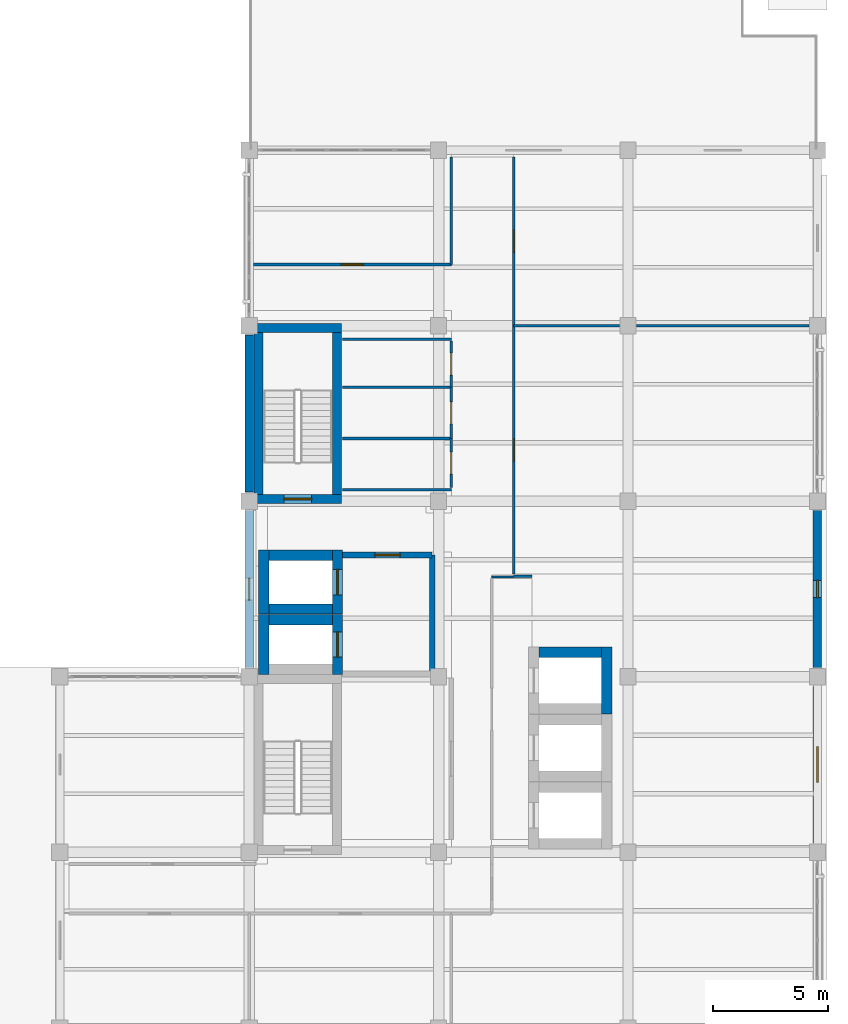
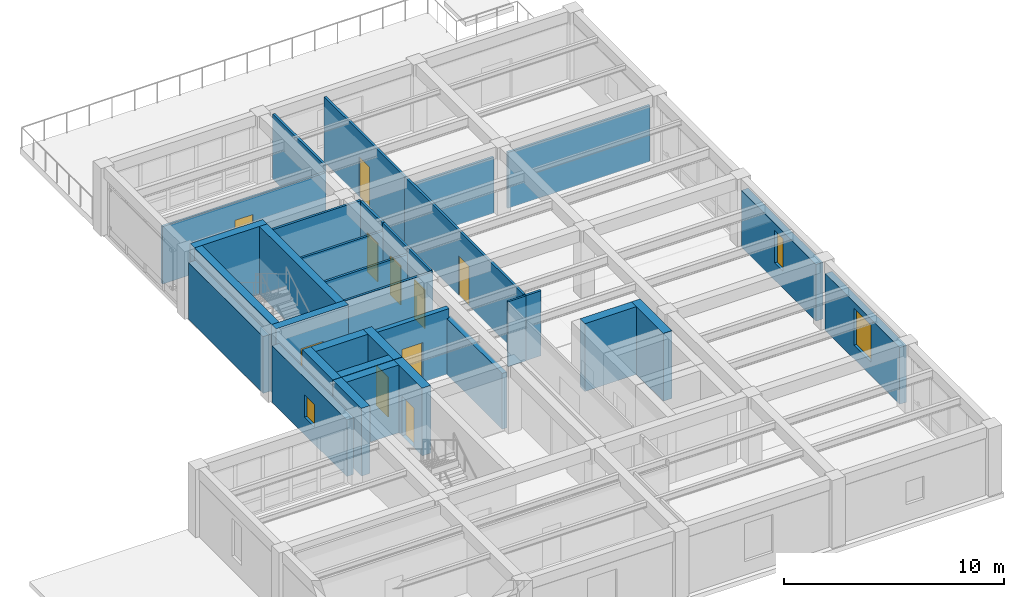
# One storey, part 7 of 11: 34 walls, 10 doors, 3 windows, 13 openings.
"""IFC4 building model written with IfcOpenShell, lengths in metres."""

from ifc_helpers import new_model, si_unit, direction, frame, frame_2d, origin, place, context, subcontext, project, spatial, rectangle, extrude, material, layer, layer_set, type_object, element, fill, save


model = new_model("IFC4")

# Units and contexts
model_context = context("Model", 3, precision=1e-05, world=origin(), true_north=direction((0.0, 1.0)))
body_context = subcontext(model_context, "Body", "Model", "MODEL_VIEW")
ifc_project = project(units=[si_unit("LENGTHUNIT", "METRE"), si_unit("AREAUNIT", "SQUARE_METRE"), si_unit("VOLUMEUNIT", "CUBIC_METRE"), si_unit("PLANEANGLEUNIT", "RADIAN"), si_unit("MASSUNIT", "GRAM", prefix="KILO")], contexts=[model_context])

# Site, building, storey
site_placement = place(None, origin())
site = spatial("IfcSite", under=ifc_project, at=site_placement, CompositionType="ELEMENT")
building_placement = place(site_placement, origin())
building = spatial("IfcBuilding", under=site, at=building_placement, Name="Qandaris Square Conservatory and Botanical Centre", CompositionType="ELEMENT")
storey_placement = place(building_placement, frame((0.0, 0.0, 66.199951171875)))
storey = spatial("IfcBuildingStorey", under=building, at=storey_placement, Name="L15", CompositionType="ELEMENT", Elevation=66.199951171875)

# Wall, opening, window
ifc_material_1 = material(Name="Precast concrete C40/50", Category="concrete")
ifc_layer_1 = layer(ifc_material_1, 0.360107421875)
ifc_layer_set_1 = layer_set([ifc_layer_1], Name="Precast concrete C40/50")
wall_type_1 = type_object("IfcWallType", Name="Architectural Precast Cladding Wall 360mm", PredefinedType="SOLIDWALL", material=ifc_layer_set_1)
wall_1_placement = place(storey_placement, frame((163.800048828125, 24.610107421875, 0.0), z_axis=(0.0, 0.0, 1.0), x_axis=(0.0, 1.0, 0.0)))
wall_1 = element("IfcWall", 1, at=wall_1_placement, inside=storey, type_object=wall_type_1, Name="Exterior Wall EW-TWR-L15-2-2", PredefinedType="SOLIDWALL", context=body_context, shape_type="SweptSolid", body=[
    extrude(rectangle(XDim=6.77978515625, YDim=0.360107421875, at=frame_2d((3.389892578125, 0.0))), origin(), (0.0, 0.0, 1.0), 3.14501953125),
])
opening_1_placement = place(wall_1_placement, frame((2.614990234375, 0.0, 0.75)))
opening_1 = element("IfcOpeningElement", 2, at=opening_1_placement, cuts=wall_1, Name="Opening WN-28", PredefinedType="OPENING", context=body_context, shape_type="SweptSolid", body=[
    extrude(rectangle(XDim=1.550048828125, YDim=2.050048828125, at=frame_2d((0.77490234375, 1.02490234375))), frame((0.0, 0.19189453125, 0.0), z_axis=(0.0, -1.0, 0.0), x_axis=(1.0, 0.0, 0.0)), (0.0, 0.0, 1.0), 0.384033203125),
])
ifc_material_2 = material(Name="Tempered Low-E Glass", Category="glass")
window_type_1 = type_object("IfcWindowType", Name="Solar Control Window 1550x2050", PartitioningType="DOUBLE_PANEL_VERTICAL", PredefinedType="WINDOW", material=ifc_material_2)
window_1_placement = place(opening_1_placement, origin())
window_1 = element("IfcWindow", 3, at=window_1_placement, inside=storey, type_object=window_type_1, Name="Window EW-TWR-L15-2-2", OverallHeight=2.050048828125, OverallWidth=1.550048828125, PartitioningType="DOUBLE_PANEL_VERTICAL", PredefinedType="WINDOW", context=body_context, shape_type="SweptSolid", body=[
    extrude(rectangle(XDim=1.550048828125, YDim=2.050048828125, at=frame_2d((0.77490234375, 1.02490234375))), frame((0.0, 0.030029296875, 0.0), z_axis=(0.0, -1.0, 0.0), x_axis=(1.0, 0.0, 0.0)), (0.0, 0.0, 1.0), 0.06005859375),
])
fill(opening_1, window_1)

wall_2_placement = place(storey_placement, frame((163.800048828125, 32.2099609375, 0.0), z_axis=(0.0, 0.0, 1.0), x_axis=(0.0, 1.0, 0.0)))
wall_2 = element("IfcWall", 4, at=wall_2_placement, inside=storey, type_object=wall_type_1, Name="Exterior Wall EW-TWR-L15-2-3", PredefinedType="SOLIDWALL", context=body_context, shape_type="SweptSolid", body=[
    extrude(rectangle(XDim=6.780029296875, YDim=0.360107421875, at=frame_2d((3.39013671875, 0.0))), origin(), (0.0, 0.0, 1.0), 3.14501953125),
])
opening_2_placement = place(wall_2_placement, frame((3.014892578125, 0.0, 0.949951171875)))
opening_2 = element("IfcOpeningElement", 5, at=opening_2_placement, cuts=wall_2, Name="Opening WN-03", PredefinedType="OPENING", context=body_context, shape_type="SweptSolid", body=[
    extrude(rectangle(XDim=0.75, YDim=1.800048828125, at=frame_2d((0.375, 0.89990234375))), frame((0.0, 0.19189453125, 0.0), z_axis=(0.0, -1.0, 0.0), x_axis=(1.0, 0.0, 0.0)), (0.0, 0.0, 1.0), 0.384033203125),
])
window_type_2 = type_object("IfcWindowType", Name="Herbarium UV-Filtered Slot Window 750x1800", PartitioningType="SINGLE_PANEL", PredefinedType="WINDOW", material=ifc_material_2)
window_2_placement = place(opening_2_placement, origin())
window_2 = element("IfcWindow", 6, at=window_2_placement, inside=storey, type_object=window_type_2, Name="Window EW-TWR-L15-2-3", OverallHeight=1.800048828125, OverallWidth=0.75, PartitioningType="SINGLE_PANEL", PredefinedType="WINDOW", context=body_context, shape_type="SweptSolid", body=[
    extrude(rectangle(XDim=0.75, YDim=1.800048828125, at=frame_2d((0.375, 0.89990234375))), frame((0.0, 0.030029296875, 0.0), z_axis=(0.0, -1.0, 0.0), x_axis=(1.0, 0.0, 0.0)), (0.0, 0.0, 1.0), 0.06005859375),
])
fill(opening_2, window_2)

# Wall
wall_3_placement = place(storey_placement, frame((139.199951171875, 46.590087890625, 0.0), z_axis=(0.0, 0.0, 1.0), x_axis=(0.0, -1.0, 0.0)))
element("IfcWall", 7, at=wall_3_placement, inside=storey, type_object=wall_type_1, Name="Exterior Wall EW-TWR-L15-4-2", PredefinedType="SOLIDWALL", context=body_context, shape_type="SweptSolid", body=[
    extrude(rectangle(XDim=6.780029296875, YDim=0.360107421875, at=frame_2d((3.39013671875, 0.0))), origin(), (0.0, 0.0, 1.0), 3.14501953125),
])

# Wall, opening, window
wall_4_placement = place(storey_placement, frame((139.199951171875, 38.989990234375, 0.0), z_axis=(0.0, 0.0, 1.0), x_axis=(0.0, -1.0, 0.0)))
wall_4 = element("IfcWall", 8, at=wall_4_placement, inside=storey, type_object=wall_type_1, Name="Exterior Wall EW-TWR-L15-4-3", PredefinedType="SOLIDWALL", context=body_context, shape_type="SweptSolid", body=[
    extrude(rectangle(XDim=6.780029296875, YDim=0.360107421875, at=frame_2d((3.39013671875, 0.0))), origin(), (0.0, 0.0, 1.0), 3.14501953125),
])
opening_3_placement = place(wall_4_placement, frame((2.9150390625, 0.0, 0.949951171875)))
opening_3 = element("IfcOpeningElement", 9, at=opening_3_placement, cuts=wall_4, Name="Opening WN-13", PredefinedType="OPENING", context=body_context, shape_type="SweptSolid", body=[
    extrude(rectangle(XDim=0.949951171875, YDim=1.25, at=frame_2d((0.47509765625, 0.625))), frame((0.0, 0.19189453125, 0.0), z_axis=(0.0, -1.0, 0.0), x_axis=(1.0, 0.0, 0.0)), (0.0, 0.0, 1.0), 0.384033203125),
])
window_type_3 = type_object("IfcWindowType", Name="Solar Control Window 950x1250", PartitioningType="SINGLE_PANEL", PredefinedType="WINDOW", material=ifc_material_2)
window_3_placement = place(opening_3_placement, origin())
window_3 = element("IfcWindow", 10, at=window_3_placement, inside=storey, type_object=window_type_3, Name="Window EW-TWR-L15-4-3", OverallHeight=1.25, OverallWidth=0.949951171875, PartitioningType="SINGLE_PANEL", PredefinedType="WINDOW", context=body_context, shape_type="SweptSolid", body=[
    extrude(rectangle(XDim=0.949951171875, YDim=1.25, at=frame_2d((0.47509765625, 0.625))), frame((0.0, 0.030029296875, 0.0), z_axis=(0.0, -1.0, 0.0), x_axis=(1.0, 0.0, 0.0)), (0.0, 0.0, 1.0), 0.06005859375),
])
fill(opening_3, window_3)

# Wall, opening, door
ifc_material_3 = material(Name="Concrete C40/50", Category="concrete")
ifc_layer_2 = layer(ifc_material_3, 0.25)
ifc_layer_set_2 = layer_set([ifc_layer_2], Name="Concrete C40/50")
wall_type_2 = type_object("IfcWallType", Name="Firefighting Lobby Compartment Wall 250mm", PredefinedType="SOLIDWALL", material=ifc_layer_set_2)
wall_5_placement = place(storey_placement, frame((143.25, 37.074951171875, 0.0), z_axis=(0.0, 0.0, 1.0), x_axis=(1.0, 0.0, 0.0)))
wall_5 = element("IfcWall", 11, at=wall_5_placement, inside=storey, type_object=wall_type_2, Name="Firefighting Lobby Wall North (L15)", PredefinedType="SOLIDWALL", context=body_context, shape_type="SweptSolid", body=[
    extrude(rectangle(XDim=3.875, YDim=0.25, at=frame_2d((1.9375, 0.0))), origin(), (0.0, 0.0, 1.0), 3.60498046875),
])
opening_4_placement = place(wall_5_placement, frame((1.387451171875, 0.0, 0.0)))
opening_4 = element("IfcOpeningElement", 12, at=opening_4_placement, cuts=wall_5, Name="Opening D-FFL", PredefinedType="OPENING", context=body_context, shape_type="SweptSolid", body=[
    extrude(rectangle(XDim=1.10009765625, YDim=2.199951171875, at=frame_2d((0.550048828125, 1.10009765625))), frame((0.0, 0.136962890625, 0.0), z_axis=(0.0, -1.0, 0.0), x_axis=(1.0, 0.0, 0.0)), (0.0, 0.0, 1.0), 0.27392578125),
])
ifc_material_4 = material(Name="Steel S355", Category="steel")
door_type_1 = type_object("IfcDoorType", Name="Firefighting Lobby Smoke-Seal Door 1100x2200", OperationType="NOTDEFINED", PredefinedType="DOOR", material=ifc_material_4)
door_1_placement = place(opening_4_placement, origin())
door_1 = element("IfcDoor", 13, at=door_1_placement, inside=storey, type_object=door_type_1, Name="DR-0427 Firefighting Lobby Door (L15)", OperationType="SINGLE_SWING_RIGHT", OverallHeight=2.199951171875, OverallWidth=1.10009765625, PredefinedType="DOOR", context=body_context, shape_type="SweptSolid", body=[
    extrude(rectangle(XDim=1.10009765625, YDim=2.199951171875, at=frame_2d((0.550048828125, 1.10009765625))), frame((0.0, 0.02490234375, 0.0), z_axis=(0.0, -1.0, 0.0), x_axis=(1.0, 0.0, 0.0)), (0.0, 0.0, 1.0), 0.050048828125),
])
fill(opening_4, door_1)

# Walls
wall_6_placement = place(storey_placement, frame((147.125, 31.925048828125, 0.0), z_axis=(0.0, 0.0, 1.0), x_axis=(0.0, 1.0, 0.0)))
element("IfcWall", 14, at=wall_6_placement, inside=storey, type_object=wall_type_2, Name="Firefighting Lobby Wall East (L15)", PredefinedType="SOLIDWALL", context=body_context, shape_type="SweptSolid", body=[
    extrude(rectangle(XDim=5.14990234375, YDim=0.25, at=frame_2d((2.574951171875, 0.0))), origin(), (0.0, 0.0, 1.0), 3.094970703125),
])
ifc_layer_3 = layer(ifc_material_2, 0.10009765625)
ifc_layer_set_3 = layer_set([ifc_layer_3], Name="Tempered Low-E Glass")
wall_type_3 = type_object("IfcWallType", Name="Framed Acoustic Glazed Gallery Screen 100mm", PredefinedType="PARTITIONING", material=ifc_layer_set_3)
wall_7_placement = place(storey_placement, frame((149.699951171875, 36.125, 0.0), z_axis=(0.0, 0.0, 1.0), x_axis=(1.0, 0.0, 0.0)))
element("IfcWall", 15, at=wall_7_placement, inside=storey, type_object=wall_type_3, Name="Interior Partition IW-L15-0466", PredefinedType="PARTITIONING", context=body_context, shape_type="SweptSolid", body=[
    extrude(rectangle(XDim=0.949951171875, YDim=0.10009765625, at=frame_2d((0.47509765625, 0.0))), origin(), (0.0, 0.0, 1.0), 3.60498046875),
])
ifc_material_5 = material(Name="Concrete C50/60", Category="concrete")
ifc_layer_4 = layer(ifc_material_5, 0.449951171875)
ifc_layer_set_4 = layer_set([ifc_layer_4], Name="Concrete C50/60")
wall_type_4 = type_object("IfcWallType", Name="RC Coupled Core Shear Wall 450mm", PredefinedType="SHEAR", material=ifc_layer_set_4)
wall_8_placement = place(storey_placement, frame((140.06005859375, 34.264892578125, 0.0), z_axis=(0.0, 0.0, 1.0), x_axis=(1.0, 0.0, 0.0)))
element("IfcWall", 16, at=wall_8_placement, inside=storey, type_object=wall_type_4, Name="Lift FFL1 Shaft Wall North (L15)", PredefinedType="SHEAR", context=body_context, shape_type="SweptSolid", body=[
    extrude(rectangle(XDim=2.739990234375, YDim=0.449951171875, at=frame_2d((1.3701171875, 0.0))), origin(), (0.0, 0.0, 1.0), 3.760009765625),
])
wall_9_placement = place(storey_placement, frame((139.8349609375, 31.909912109375, 0.0), z_axis=(0.0, 0.0, 1.0), x_axis=(0.0, 1.0, 0.0)))
element("IfcWall", 17, at=wall_9_placement, inside=storey, type_object=wall_type_4, Name="Lift FFL1 Shaft Wall West (L15)", PredefinedType="SHEAR", context=body_context, shape_type="SweptSolid", body=[
    extrude(rectangle(XDim=2.580078125, YDim=0.449951171875, at=frame_2d((1.2900390625, 0.0))), origin(), (0.0, 0.0, 1.0), 3.760009765625),
])

# Wall, opening, door
wall_10_placement = place(storey_placement, frame((143.02490234375, 31.909912109375, 0.0), z_axis=(0.0, 0.0, 1.0), x_axis=(0.0, 1.0, 0.0)))
wall_10 = element("IfcWall", 18, at=wall_10_placement, inside=storey, type_object=wall_type_4, Name="Lift FFL1 Shaft Wall East (L15)", PredefinedType="SHEAR", context=body_context, shape_type="SweptSolid", body=[
    extrude(rectangle(XDim=2.580078125, YDim=0.449951171875, at=frame_2d((1.2900390625, 0.0))), origin(), (0.0, 0.0, 1.0), 3.760009765625),
])
opening_5_placement = place(wall_10_placement, frame((0.739990234375, 0.0, 0.0)))
opening_5 = element("IfcOpeningElement", 19, at=opening_5_placement, cuts=wall_10, Name="Opening LD-FFL", PredefinedType="OPENING", context=body_context, shape_type="SweptSolid", body=[
    extrude(rectangle(XDim=1.10009765625, YDim=2.199951171875, at=frame_2d((0.550048828125, 1.10009765625))), frame((0.0, 0.23681640625, 0.0), z_axis=(0.0, -1.0, 0.0), x_axis=(1.0, 0.0, 0.0)), (0.0, 0.0, 1.0), 0.473876953125),
])
door_type_2 = type_object("IfcDoorType", Name="Firefighting Lift Sliding Landing Door 1100x2200", OperationType="DOUBLE_DOOR_SLIDING", PredefinedType="DOOR", material=ifc_material_4)
door_2_placement = place(opening_5_placement, origin())
door_2 = element("IfcDoor", 20, at=door_2_placement, inside=storey, type_object=door_type_2, Name="DR-0443 Lift FFL1 Landing Door (L15)", OperationType="DOUBLE_DOOR_SLIDING", OverallHeight=2.199951171875, OverallWidth=1.10009765625, PredefinedType="DOOR", context=body_context, shape_type="SweptSolid", body=[
    extrude(rectangle(XDim=1.10009765625, YDim=2.199951171875, at=frame_2d((0.550048828125, 1.10009765625))), frame((0.0, 0.02490234375, 0.0), z_axis=(0.0, -1.0, 0.0), x_axis=(1.0, 0.0, 0.0)), (0.0, 0.0, 1.0), 0.050048828125),
])
fill(opening_5, door_2)

# Walls
for number, where, z_axis, x_axis, name in (
    (21, (140.06005859375, 34.735107421875, 0.0), (0.0, 0.0, 1.0), (1.0, 0.0, 0.0), "Lift FFL2 Shaft Wall South (L15)"),
    (22, (140.06005859375, 37.06494140625, 0.0), (0.0, 0.0, 1.0), (1.0, 0.0, 0.0), "Lift FFL2 Shaft Wall North (L15)"),
):
    element("IfcWall", number, at=place(storey_placement, frame(where, z_axis=z_axis, x_axis=x_axis)), inside=storey, type_object=wall_type_4, Name=name, PredefinedType="SHEAR", context=body_context, shape_type="SweptSolid", body=[
        extrude(rectangle(XDim=2.739990234375, YDim=0.449951171875, at=frame_2d((1.3701171875, 0.0))), origin(), (0.0, 0.0, 1.0), 3.760009765625),
    ])
wall_11_placement = place(storey_placement, frame((139.8349609375, 34.510009765625, 0.0), z_axis=(0.0, 0.0, 1.0), x_axis=(0.0, 1.0, 0.0)))
element("IfcWall", 23, at=wall_11_placement, inside=storey, type_object=wall_type_4, Name="Lift FFL2 Shaft Wall West (L15)", PredefinedType="SHEAR", context=body_context, shape_type="SweptSolid", body=[
    extrude(rectangle(XDim=2.780029296875, YDim=0.449951171875, at=frame_2d((1.39013671875, 0.0))), origin(), (0.0, 0.0, 1.0), 3.760009765625),
])

# Wall, opening, door
wall_12_placement = place(storey_placement, frame((143.02490234375, 34.510009765625, 0.0), z_axis=(0.0, 0.0, 1.0), x_axis=(0.0, 1.0, 0.0)))
wall_12 = element("IfcWall", 24, at=wall_12_placement, inside=storey, type_object=wall_type_4, Name="Lift FFL2 Shaft Wall East (L15)", PredefinedType="SHEAR", context=body_context, shape_type="SweptSolid", body=[
    extrude(rectangle(XDim=2.780029296875, YDim=0.449951171875, at=frame_2d((1.39013671875, 0.0))), origin(), (0.0, 0.0, 1.0), 3.760009765625),
])
opening_6_placement = place(wall_12_placement, frame((0.840087890625, 0.0, 0.0)))
opening_6 = element("IfcOpeningElement", 25, at=opening_6_placement, cuts=wall_12, Name="Opening LD-FFL", PredefinedType="OPENING", context=body_context, shape_type="SweptSolid", body=[
    extrude(rectangle(XDim=1.10009765625, YDim=2.199951171875, at=frame_2d((0.550048828125, 1.10009765625))), frame((0.0, 0.23681640625, 0.0), z_axis=(0.0, -1.0, 0.0), x_axis=(1.0, 0.0, 0.0)), (0.0, 0.0, 1.0), 0.473876953125),
])
door_3_placement = place(opening_6_placement, origin())
door_3 = element("IfcDoor", 26, at=door_3_placement, inside=storey, type_object=door_type_2, Name="DR-0444 Lift FFL2 Landing Door (L15)", OperationType="DOUBLE_DOOR_SLIDING", OverallHeight=2.199951171875, OverallWidth=1.10009765625, PredefinedType="DOOR", context=body_context, shape_type="SweptSolid", body=[
    extrude(rectangle(XDim=1.10009765625, YDim=2.199951171875, at=frame_2d((0.550048828125, 1.10009765625))), frame((0.0, 0.02490234375, 0.0), z_axis=(0.0, -1.0, 0.0), x_axis=(1.0, 0.0, 0.0)), (0.0, 0.0, 1.0), 0.050048828125),
])
fill(opening_6, door_3)

# Walls
wall_13_placement = place(storey_placement, frame((151.75, 32.864990234375, 0.0), z_axis=(0.0, 0.0, 1.0), x_axis=(1.0, 0.0, 0.0)))
element("IfcWall", 27, at=wall_13_placement, inside=storey, type_object=wall_type_4, Name="Lift PL3 Shaft Wall North (L15)", PredefinedType="SHEAR", context=body_context, shape_type="SweptSolid", body=[
    extrude(rectangle(XDim=2.699951171875, YDim=0.449951171875, at=frame_2d((1.35009765625, 0.0))), origin(), (0.0, 0.0, 1.0), 3.760009765625),
])
wall_14_placement = place(storey_placement, frame((154.675048828125, 30.18994140625, 0.0), z_axis=(0.0, 0.0, 1.0), x_axis=(0.0, 1.0, 0.0)))
element("IfcWall", 28, at=wall_14_placement, inside=storey, type_object=wall_type_4, Name="Lift PL3 Shaft Wall East (L15)", PredefinedType="SHEAR", context=body_context, shape_type="SweptSolid", body=[
    extrude(rectangle(XDim=2.900146484375, YDim=0.449951171875, at=frame_2d((1.4501953125, 0.0))), origin(), (0.0, 0.0, 1.0), 3.760009765625),
])

# Wall, opening, door
ifc_layer_5 = layer(ifc_material_5, 0.39990234375)
ifc_layer_set_5 = layer_set([ifc_layer_5], Name="Concrete C50/60")
wall_type_5 = type_object("IfcWallType", Name="RC Stair Core Shear Wall 400mm", PredefinedType="SHEAR", material=ifc_layer_set_5)
wall_15_placement = place(storey_placement, frame((139.39990234375, 39.5, 0.0), z_axis=(0.0, 0.0, 1.0), x_axis=(1.0, 0.0, 0.0)))
wall_15 = element("IfcWall", 29, at=wall_15_placement, inside=storey, type_object=wall_type_5, Name="ST-2 Core Shear Wall South (L15)", PredefinedType="SHEAR", context=body_context, shape_type="SweptSolid", body=[
    extrude(rectangle(XDim=3.800048828125, YDim=0.39990234375, at=frame_2d((1.89990234375, 0.0))), origin(), (0.0, 0.0, 1.0), 3.760009765625),
])
opening_7_placement = place(wall_15_placement, frame((1.300048828125, 0.0, 0.0)))
opening_7 = element("IfcOpeningElement", 30, at=opening_7_placement, cuts=wall_15, Name="Opening D-ST1", PredefinedType="OPENING", context=body_context, shape_type="SweptSolid", body=[
    extrude(rectangle(XDim=1.199951171875, YDim=2.199951171875, at=frame_2d((0.60009765625, 1.10009765625))), frame((0.0, 0.2119140625, 0.0), z_axis=(0.0, -1.0, 0.0), x_axis=(1.0, 0.0, 0.0)), (0.0, 0.0, 1.0), 0.423828125),
])
door_type_3 = type_object("IfcDoorType", Name="Exit Stair Core Fire Door 1200x2200", OperationType="NOTDEFINED", PredefinedType="DOOR", material=ifc_material_4)
door_4_placement = place(opening_7_placement, origin())
door_4 = element("IfcDoor", 31, at=door_4_placement, inside=storey, type_object=door_type_3, Name="DR-0438 ST-2 Stair Core Door (L15)", OperationType="SINGLE_SWING_LEFT", OverallHeight=2.199951171875, OverallWidth=1.199951171875, PredefinedType="DOOR", context=body_context, shape_type="SweptSolid", body=[
    extrude(rectangle(XDim=1.199951171875, YDim=2.199951171875, at=frame_2d((0.60009765625, 1.10009765625))), frame((0.0, 0.02490234375, 0.0), z_axis=(0.0, -1.0, 0.0), x_axis=(1.0, 0.0, 0.0)), (0.0, 0.0, 1.0), 0.050048828125),
])
fill(opening_7, door_4)

# Walls
wall_16_placement = place(storey_placement, frame((139.39990234375, 46.89990234375, 0.0), z_axis=(0.0, 0.0, 1.0), x_axis=(1.0, 0.0, 0.0)))
element("IfcWall", 32, at=wall_16_placement, inside=storey, type_object=wall_type_5, Name="ST-2 Core Shear Wall North (L15)", PredefinedType="SHEAR", context=body_context, shape_type="SweptSolid", body=[
    extrude(rectangle(XDim=3.800048828125, YDim=0.39990234375, at=frame_2d((1.89990234375, 0.0))), origin(), (0.0, 0.0, 1.0), 3.760009765625),
])
for number, where, z_axis, x_axis, name in (
    (33, (139.60009765625, 39.699951171875, 0.0), (0.0, 0.0, 1.0), (0.0, 1.0, 0.0), "ST-2 Core Shear Wall West (L15)"),
    (34, (143.0, 39.699951171875, 0.0), (0.0, 0.0, 1.0), (0.0, 1.0, 0.0), "ST-2 Core Shear Wall East (L15)"),
):
    element("IfcWall", number, at=place(storey_placement, frame(where, z_axis=z_axis, x_axis=x_axis)), inside=storey, type_object=wall_type_5, Name=name, PredefinedType="SHEAR", context=body_context, shape_type="SweptSolid", body=[
        extrude(rectangle(XDim=7.0, YDim=0.39990234375, at=frame_2d((3.5, 0.0))), origin(), (0.0, 0.0, 1.0), 3.760009765625),
    ])
ifc_material_6 = material(Name="Gypsum Plasterboard", Category="gypsum")
ifc_layer_6 = layer(ifc_material_6, 0.1201171875)
ifc_layer_set_6 = layer_set([ifc_layer_6], Name="Gypsum Plasterboard")
wall_type_6 = type_object("IfcWallType", Name="Standard Research Partition 120mm", PredefinedType="PARTITIONING", material=ifc_layer_set_6)
for number, where, z_axis, x_axis, name in (
    (35, (143.22998046875, 39.89990234375, 0.0), (0.0, 0.0, 1.0), (1.0, 0.0, 0.0), "Sanitary Toilet Partition Wall WCW-L15-SOUTH1"),
    (36, (143.22998046875, 46.419921875, 0.0), (0.0, 0.0, 1.0), (1.0, 0.0, 0.0), "Sanitary Toilet Partition Wall WCW-L15-NORTH1"),
):
    element("IfcWall", number, at=place(storey_placement, frame(where, z_axis=z_axis, x_axis=x_axis)), inside=storey, type_object=wall_type_6, Name=name, PredefinedType="PARTITIONING", context=body_context, shape_type="SweptSolid", body=[
        extrude(rectangle(XDim=4.719970703125, YDim=0.1201171875, at=frame_2d((2.35986328125, 0.0))), origin(), (0.0, 0.0, 1.0), 3.60498046875),
    ])
wall_17_placement = place(storey_placement, frame((150.64990234375, 36.14990234375, 0.0), z_axis=(0.0, 0.0, 1.0), x_axis=(1.0, 0.0, 0.0)))
element("IfcWall", 37, at=wall_17_placement, inside=storey, type_object=wall_type_6, Name="Interior Partition IW-L15-0467", PredefinedType="PARTITIONING", context=body_context, shape_type="SweptSolid", body=[
    extrude(rectangle(XDim=0.800048828125, YDim=0.1201171875, at=frame_2d((0.39990234375, 0.0))), origin(), (0.0, 0.0, 1.0), 3.60498046875),
])
wall_18_placement = place(storey_placement, frame((143.22998046875, 42.1201171875, 0.0), z_axis=(0.0, 0.0, 1.0), x_axis=(1.0, 0.0, 0.0)))
element("IfcWall", 38, at=wall_18_placement, inside=storey, type_object=wall_type_6, Name="Interior Partition IW-L15-0468", PredefinedType="PARTITIONING", context=body_context, shape_type="SweptSolid", body=[
    extrude(rectangle(XDim=4.719970703125, YDim=0.1201171875, at=frame_2d((2.35986328125, 0.0))), origin(), (0.0, 0.0, 1.0), 3.235107421875),
])

# Wall, opening, door
wall_19_placement = place(storey_placement, frame((147.949951171875, 42.1201171875, 0.0), z_axis=(0.0, 0.0, 1.0), x_axis=(0.0, -1.0, 0.0)))
wall_19 = element("IfcWall", 39, at=wall_19_placement, inside=storey, type_object=wall_type_6, Name="Interior Partition IW-L15-0469", PredefinedType="PARTITIONING", context=body_context, shape_type="SweptSolid", body=[
    extrude(rectangle(XDim=2.130126953125, YDim=0.1201171875, at=frame_2d((1.06494140625, 0.0))), origin(), (0.0, 0.0, 1.0), 3.60498046875),
])
opening_8_placement = place(wall_19_placement, frame((0.590087890625, 0.0, 0.0)))
opening_8 = element("IfcOpeningElement", 40, at=opening_8_placement, cuts=wall_19, Name="Opening D-WC1", PredefinedType="OPENING", context=body_context, shape_type="SweptSolid", body=[
    extrude(rectangle(XDim=0.949951171875, YDim=2.14990234375, at=frame_2d((0.47509765625, 1.074951171875))), frame((0.0, 0.072021484375, 0.0), z_axis=(0.0, -1.0, 0.0), x_axis=(1.0, 0.0, 0.0)), (0.0, 0.0, 1.0), 0.14404296875),
])
ifc_material_7 = material(Name="Engineered Oak Timber", Category="wood")
door_type_4 = type_object("IfcDoorType", Name="Accessible Sanitary Room Door 950x2150", OperationType="NOTDEFINED", PredefinedType="DOOR", material=ifc_material_7)
door_5_placement = place(opening_8_placement, origin())
door_5 = element("IfcDoor", 41, at=door_5_placement, inside=storey, type_object=door_type_4, Name="DR-0439 Accessible Toilet L15 Door", OperationType="SINGLE_SWING_LEFT", OverallHeight=2.14990234375, OverallWidth=0.949951171875, PredefinedType="DOOR", context=body_context, shape_type="SweptSolid", body=[
    extrude(rectangle(XDim=0.949951171875, YDim=2.14990234375, at=frame_2d((0.47509765625, 1.074951171875))), frame((0.0, 0.02490234375, 0.0), z_axis=(0.0, -1.0, 0.0), x_axis=(1.0, 0.0, 0.0)), (0.0, 0.0, 1.0), 0.050048828125),
])
fill(opening_8, door_5)

# Wall
wall_20_placement = place(storey_placement, frame((143.22998046875, 44.340087890625, 0.0), z_axis=(0.0, 0.0, 1.0), x_axis=(1.0, 0.0, 0.0)))
element("IfcWall", 42, at=wall_20_placement, inside=storey, type_object=wall_type_6, Name="Interior Partition IW-L15-0470", PredefinedType="PARTITIONING", context=body_context, shape_type="SweptSolid", body=[
    extrude(rectangle(XDim=4.719970703125, YDim=0.1201171875, at=frame_2d((2.35986328125, 0.0))), origin(), (0.0, 0.0, 1.0), 3.18505859375),
])

# Wall, opening, door
wall_21_placement = place(storey_placement, frame((147.949951171875, 44.340087890625, 0.0), z_axis=(0.0, 0.0, 1.0), x_axis=(0.0, -1.0, 0.0)))
wall_21 = element("IfcWall", 43, at=wall_21_placement, inside=storey, type_object=wall_type_6, Name="Interior Partition IW-L15-0471", PredefinedType="PARTITIONING", context=body_context, shape_type="SweptSolid", body=[
    extrude(rectangle(XDim=2.219970703125, YDim=0.1201171875, at=frame_2d((1.10986328125, 0.0))), origin(), (0.0, 0.0, 1.0), 3.60498046875),
])
opening_9_placement = place(wall_21_placement, frame((0.635009765625, 0.0, 0.0)))
opening_9 = element("IfcOpeningElement", 44, at=opening_9_placement, cuts=wall_21, Name="Opening D-WC1", PredefinedType="OPENING", context=body_context, shape_type="SweptSolid", body=[
    extrude(rectangle(XDim=0.949951171875, YDim=2.14990234375, at=frame_2d((0.47509765625, 1.074951171875))), frame((0.0, 0.072021484375, 0.0), z_axis=(0.0, -1.0, 0.0), x_axis=(1.0, 0.0, 0.0)), (0.0, 0.0, 1.0), 0.14404296875),
])
door_6_placement = place(opening_9_placement, origin())
door_6 = element("IfcDoor", 45, at=door_6_placement, inside=storey, type_object=door_type_4, Name="DR-0440 Staff Male Toilet L15 Door", OperationType="SINGLE_SWING_RIGHT", OverallHeight=2.14990234375, OverallWidth=0.949951171875, PredefinedType="DOOR", context=body_context, shape_type="SweptSolid", body=[
    extrude(rectangle(XDim=0.949951171875, YDim=2.14990234375, at=frame_2d((0.47509765625, 1.074951171875))), frame((0.0, 0.02490234375, 0.0), z_axis=(0.0, -1.0, 0.0), x_axis=(1.0, 0.0, 0.0)), (0.0, 0.0, 1.0), 0.050048828125),
])
fill(opening_9, door_6)

wall_22_placement = place(storey_placement, frame((147.949951171875, 46.330078125, 0.0), z_axis=(0.0, 0.0, 1.0), x_axis=(0.0, -1.0, 0.0)))
wall_22 = element("IfcWall", 46, at=wall_22_placement, inside=storey, type_object=wall_type_6, Name="Interior Partition IW-L15-0472", PredefinedType="PARTITIONING", context=body_context, shape_type="SweptSolid", body=[
    extrude(rectangle(XDim=1.989990234375, YDim=0.1201171875, at=frame_2d((0.9951171875, 0.0))), origin(), (0.0, 0.0, 1.0), 3.60498046875),
])
opening_10_placement = place(wall_22_placement, frame((0.52001953125, 0.0, 0.0)))
opening_10 = element("IfcOpeningElement", 47, at=opening_10_placement, cuts=wall_22, Name="Opening D-WC1", PredefinedType="OPENING", context=body_context, shape_type="SweptSolid", body=[
    extrude(rectangle(XDim=0.949951171875, YDim=2.14990234375, at=frame_2d((0.47509765625, 1.074951171875))), frame((0.0, 0.072021484375, 0.0), z_axis=(0.0, -1.0, 0.0), x_axis=(1.0, 0.0, 0.0)), (0.0, 0.0, 1.0), 0.14404296875),
])
door_7_placement = place(opening_10_placement, frame((0.949951171875, 0.0, 0.0), z_axis=(0.0, 0.0, 1.0), x_axis=(-1.0, 0.0, 0.0)))
door_7 = element("IfcDoor", 48, at=door_7_placement, inside=storey, type_object=door_type_4, Name="DR-0441 Staff Female Toilet L15 Door", OperationType="SINGLE_SWING_LEFT", OverallHeight=2.14990234375, OverallWidth=0.949951171875, PredefinedType="DOOR", context=body_context, shape_type="SweptSolid", body=[
    extrude(rectangle(XDim=0.949951171875, YDim=2.14990234375, at=frame_2d((0.47509765625, 1.074951171875))), frame((0.0, 0.02490234375, 0.0), z_axis=(0.0, -1.0, 0.0), x_axis=(1.0, 0.0, 0.0)), (0.0, 0.0, 1.0), 0.050048828125),
])
fill(opening_10, door_7)

wall_23_placement = place(storey_placement, frame((150.64990234375, 47.0, 0.0), z_axis=(0.0, 0.0, 1.0), x_axis=(0.0, -1.0, 0.0)))
wall_23 = element("IfcWall", 49, at=wall_23_placement, inside=storey, type_object=wall_type_6, Name="Interior Partition IW-L15-0479", PredefinedType="PARTITIONING", context=body_context, shape_type="SweptSolid", body=[
    extrude(rectangle(XDim=10.75, YDim=0.1201171875, at=frame_2d((5.375, 0.0))), origin(), (0.0, 0.0, 1.0), 3.60498046875),
])
opening_11_placement = place(wall_23_placement, frame((4.89990234375, 0.0, 0.0)))
opening_11 = element("IfcOpeningElement", 50, at=opening_11_placement, cuts=wall_23, Name="Opening D-OFF1", PredefinedType="OPENING", context=body_context, shape_type="SweptSolid", body=[
    extrude(rectangle(XDim=0.949951171875, YDim=2.199951171875, at=frame_2d((0.47509765625, 1.10009765625))), frame((0.0, 0.072021484375, 0.0), z_axis=(0.0, -1.0, 0.0), x_axis=(1.0, 0.0, 0.0)), (0.0, 0.0, 1.0), 0.14404296875),
])
door_type_5 = type_object("IfcDoorType", Name="Research Office Acoustic Door 950x2200", OperationType="NOTDEFINED", PredefinedType="DOOR", material=ifc_material_7)
door_8_placement = place(opening_11_placement, origin())
door_8 = element("IfcDoor", 51, at=door_8_placement, inside=storey, type_object=door_type_5, Name="DR-0433 Visiting Scholars Analytical Laboratory Door", OperationType="SINGLE_SWING_RIGHT", OverallHeight=2.199951171875, OverallWidth=0.949951171875, PredefinedType="DOOR", context=body_context, shape_type="SweptSolid", body=[
    extrude(rectangle(XDim=0.949951171875, YDim=2.199951171875, at=frame_2d((0.47509765625, 1.10009765625))), frame((0.0, 0.02490234375, 0.0), z_axis=(0.0, -1.0, 0.0), x_axis=(1.0, 0.0, 0.0)), (0.0, 0.0, 1.0), 0.050048828125),
])
fill(opening_11, door_8)

wall_24_placement = place(storey_placement, frame((139.3798828125, 49.64990234375, 0.0), z_axis=(0.0, 0.0, 1.0), x_axis=(1.0, 0.0, 0.0)))
wall_24 = element("IfcWall", 52, at=wall_24_placement, inside=storey, type_object=wall_type_6, Name="Interior Partition IW-L15-0480", PredefinedType="PARTITIONING", context=body_context, shape_type="SweptSolid", body=[
    extrude(rectangle(XDim=8.570068359375, YDim=0.1201171875, at=frame_2d((4.28515625, 0.0))), origin(), (0.0, 0.0, 1.0), 3.18505859375),
])
opening_12_placement = place(wall_24_placement, frame((3.81005859375, 0.0, 0.0)))
opening_12 = element("IfcOpeningElement", 53, at=opening_12_placement, cuts=wall_24, Name="Opening D-OFF1", PredefinedType="OPENING", context=body_context, shape_type="SweptSolid", body=[
    extrude(rectangle(XDim=0.949951171875, YDim=2.199951171875, at=frame_2d((0.47509765625, 1.10009765625))), frame((0.0, 0.072021484375, 0.0), z_axis=(0.0, -1.0, 0.0), x_axis=(1.0, 0.0, 0.0)), (0.0, 0.0, 1.0), 0.14404296875),
])
door_9_placement = place(opening_12_placement, frame((0.949951171875, 0.0, 0.0), z_axis=(0.0, 0.0, 1.0), x_axis=(-1.0, 0.0, 0.0)))
door_9 = element("IfcDoor", 54, at=door_9_placement, inside=storey, type_object=door_type_5, Name="DR-0434 Advisory Board Collaborative Seminar Room Door", OperationType="SINGLE_SWING_LEFT", OverallHeight=2.199951171875, OverallWidth=0.949951171875, PredefinedType="DOOR", context=body_context, shape_type="SweptSolid", body=[
    extrude(rectangle(XDim=0.949951171875, YDim=2.199951171875, at=frame_2d((0.47509765625, 1.10009765625))), frame((0.0, 0.02490234375, 0.0), z_axis=(0.0, -1.0, 0.0), x_axis=(1.0, 0.0, 0.0)), (0.0, 0.0, 1.0), 0.050048828125),
])
fill(opening_12, door_9)

# Wall
wall_25_placement = place(storey_placement, frame((147.949951171875, 49.64990234375, 0.0), z_axis=(0.0, 0.0, 1.0), x_axis=(0.0, 1.0, 0.0)))
element("IfcWall", 55, at=wall_25_placement, inside=storey, type_object=wall_type_6, Name="Interior Partition IW-L15-0481", PredefinedType="PARTITIONING", context=body_context, shape_type="SweptSolid", body=[
    extrude(rectangle(XDim=4.650146484375, YDim=0.1201171875, at=frame_2d((2.3251953125, 0.0))), origin(), (0.0, 0.0, 1.0), 3.60498046875),
])

# Wall, opening, door
wall_26_placement = place(storey_placement, frame((150.64990234375, 54.300048828125, 0.0), z_axis=(0.0, 0.0, 1.0), x_axis=(0.0, -1.0, 0.0)))
wall_26 = element("IfcWall", 56, at=wall_26_placement, inside=storey, type_object=wall_type_6, Name="Interior Partition IW-L15-0482", PredefinedType="PARTITIONING", context=body_context, shape_type="SweptSolid", body=[
    extrude(rectangle(XDim=7.300048828125, YDim=0.1201171875, at=frame_2d((3.64990234375, 0.0))), origin(), (0.0, 0.0, 1.0), 3.60498046875),
])
opening_13_placement = place(wall_26_placement, frame((3.175048828125, 0.0, 0.0)))
opening_13 = element("IfcOpeningElement", 57, at=opening_13_placement, cuts=wall_26, Name="Opening D-OFF1", PredefinedType="OPENING", context=body_context, shape_type="SweptSolid", body=[
    extrude(rectangle(XDim=0.949951171875, YDim=2.199951171875, at=frame_2d((0.47509765625, 1.10009765625))), frame((0.0, 0.072021484375, 0.0), z_axis=(0.0, -1.0, 0.0), x_axis=(1.0, 0.0, 0.0)), (0.0, 0.0, 1.0), 0.14404296875),
])
door_10_placement = place(opening_13_placement, origin())
door_10 = element("IfcDoor", 58, at=door_10_placement, inside=storey, type_object=door_type_5, Name="DR-0435 Floor L15 Staff Write-Up Lounge Door", OperationType="SINGLE_SWING_RIGHT", OverallHeight=2.199951171875, OverallWidth=0.949951171875, PredefinedType="DOOR", context=body_context, shape_type="SweptSolid", body=[
    extrude(rectangle(XDim=0.949951171875, YDim=2.199951171875, at=frame_2d((0.47509765625, 1.10009765625))), frame((0.0, 0.02490234375, 0.0), z_axis=(0.0, -1.0, 0.0), x_axis=(1.0, 0.0, 0.0)), (0.0, 0.0, 1.0), 0.050048828125),
])
fill(opening_13, door_10)

# Walls
wall_27_placement = place(storey_placement, frame((150.64990234375, 47.0, 0.0), z_axis=(0.0, 0.0, 1.0), x_axis=(1.0, 0.0, 0.0)))
element("IfcWall", 59, at=wall_27_placement, inside=storey, type_object=wall_type_6, Name="Interior Partition IW-L15-0485", PredefinedType="PARTITIONING", context=body_context, shape_type="SweptSolid", body=[
    extrude(rectangle(XDim=4.580078125, YDim=0.1201171875, at=frame_2d((2.2900390625, 0.0))), origin(), (0.0, 0.0, 1.0), 3.094970703125),
])
wall_28_placement = place(storey_placement, frame((155.969970703125, 47.0, 0.0), z_axis=(0.0, 0.0, 1.0), x_axis=(1.0, 0.0, 0.0)))
element("IfcWall", 60, at=wall_28_placement, inside=storey, type_object=wall_type_6, Name="Interior Partition IW-L15-0486", PredefinedType="PARTITIONING", context=body_context, shape_type="SweptSolid", body=[
    extrude(rectangle(XDim=7.4599609375, YDim=0.1201171875, at=frame_2d((3.72998046875, 0.0))), origin(), (0.0, 0.0, 1.0), 3.094970703125),
])

save(model, "model.ifc")
